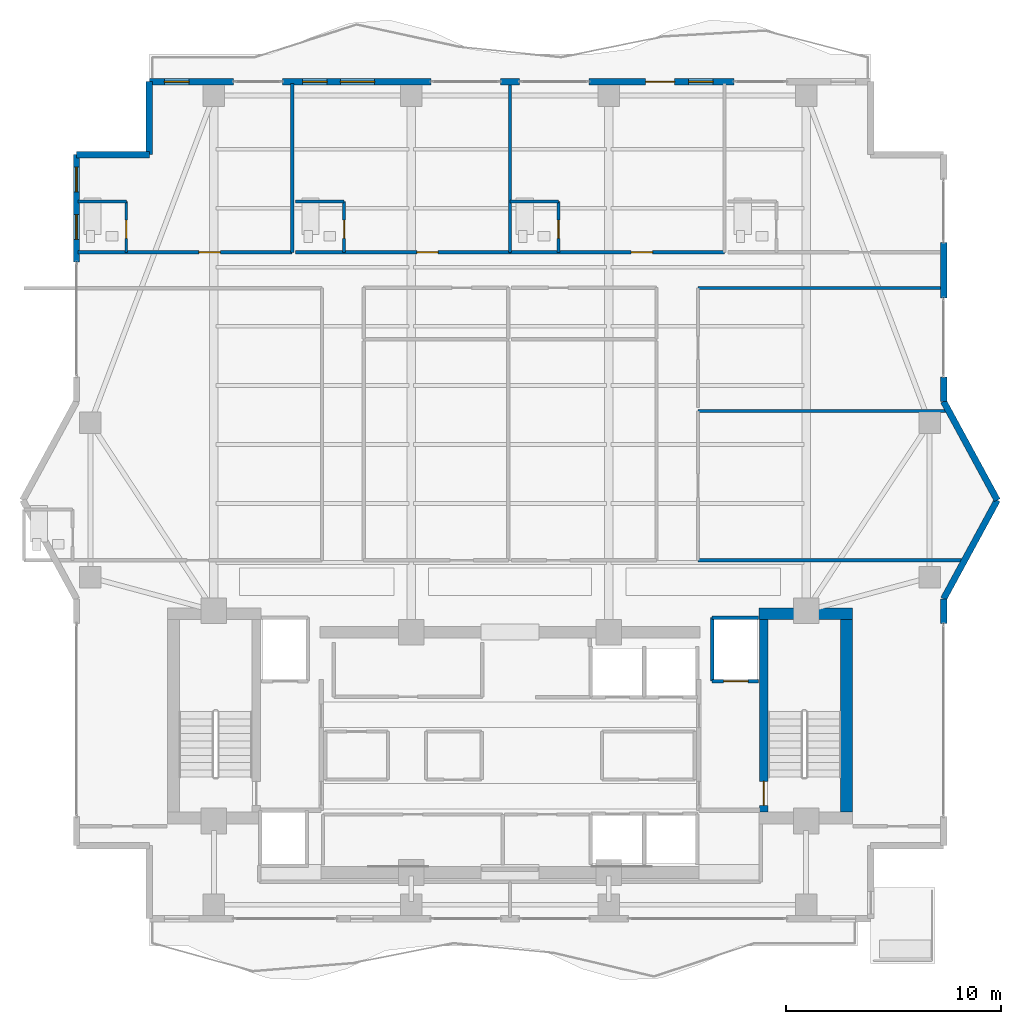
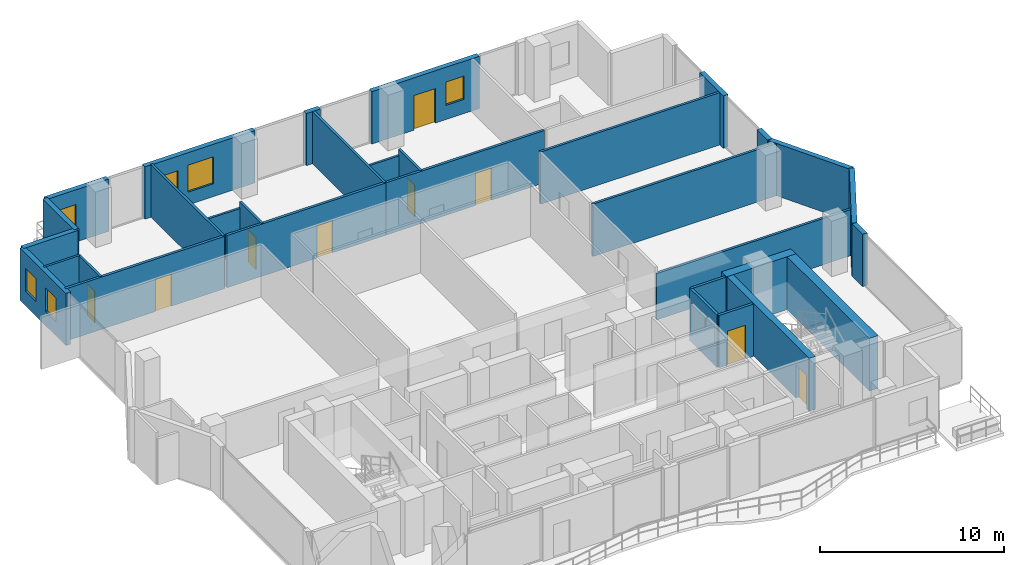
# One storey, part 21 of 25: 32 walls, 9 doors, 6 windows, 15 openings.
"""IFC4 building model written with IfcOpenShell, lengths in metres."""

from ifc_helpers import new_model, si_unit, direction, frame, frame_2d, origin, place, context, subcontext, project, spatial, rectangle, extrude, material, layer, layer_set, type_object, element, fill, save


model = new_model("IFC4")

# Units and contexts
model_context = context("Model", 3, precision=1e-05, world=origin(), true_north=direction((0.0, 1.0)))
body_context = subcontext(model_context, "Body", "Model", "MODEL_VIEW")
ifc_project = project(units=[si_unit("LENGTHUNIT", "METRE"), si_unit("AREAUNIT", "SQUARE_METRE"), si_unit("VOLUMEUNIT", "CUBIC_METRE"), si_unit("PLANEANGLEUNIT", "RADIAN"), si_unit("MASSUNIT", "GRAM", prefix="KILO")], contexts=[model_context])

# Site, building, storey
site_placement = place(None, origin())
site = spatial("IfcSite", under=ifc_project, at=site_placement, CompositionType="ELEMENT")
building_placement = place(site_placement, origin())
building = spatial("IfcBuilding", under=site, at=building_placement, Name="Zuhayl Quay Hotel", CompositionType="ELEMENT")
storey_placement = place(building_placement, frame((0.0, 0.0, 258.14990234375)))
storey = spatial("IfcBuildingStorey", under=building, at=storey_placement, Name="L65", CompositionType="ELEMENT", Elevation=258.14990234375)

# Walls
ifc_material_1 = material(Name="Concrete C50/60", Category="concrete")
ifc_layer_1 = layer(ifc_material_1, 0.550048828125, Name="Concrete C50/60", Category="concrete")
ifc_layer_set_1 = layer_set([ifc_layer_1], Name="Concrete C50/60")
wall_type_1 = type_object("IfcWallType", Name="WL_CORE_550", PredefinedType="SHEAR", material=ifc_layer_set_1)
wall_1_placement = place(storey_placement, frame((11.60009765625, 14.205078125, 0.0), z_axis=(0.0, 0.0, 1.0), x_axis=(1.0, 0.0, 0.0)))
element("IfcWall", 1, at=wall_1_placement, inside=storey, type_object=wall_type_1, Name="L65 Core Shear Wall CW_NE", PredefinedType="SHEAR", context=body_context, shape_type="SweptSolid", body=[
    extrude(rectangle(XDim=4.35986328125, YDim=0.550048828125, at=frame_2d((2.179931640625, 0.0))), origin(), (0.0, 0.0, 1.0), 3.510009765625),
])
wall_2_placement = place(storey_placement, frame((15.68505859375, 4.969970703125, 0.0), z_axis=(0.0, 0.0, 1.0), x_axis=(0.0, 1.0, 0.0)))
element("IfcWall", 2, at=wall_2_placement, inside=storey, type_object=wall_type_1, Name="L65 Core Shear Wall CW_E", PredefinedType="SHEAR", context=body_context, shape_type="SweptSolid", body=[
    extrude(rectangle(XDim=8.9599609375, YDim=0.550048828125, at=frame_2d((4.47998046875, 0.0))), origin(), (0.0, 0.0, 1.0), 3.510009765625),
])

# Wall, openings, windows
ifc_material_2 = material(Name="Precast concrete C45/55", Category="concrete")
ifc_layer_2 = layer(ifc_material_2, 0.300048828125, Name="Precast concrete C45/55", Category="concrete")
ifc_layer_set_2 = layer_set([ifc_layer_2], Name="Precast concrete C45/55")
wall_type_2 = type_object("IfcWallType", Name="WL_EXT_300", PredefinedType="STANDARD", material=ifc_layer_set_2)
wall_3_placement = place(storey_placement, frame((-20.199951171875, 30.60009765625, 0.0), z_axis=(0.0, 0.0, 1.0), x_axis=(0.0, 1.0, 0.0)))
wall_3 = element("IfcWall", 3, at=wall_3_placement, inside=storey, type_object=wall_type_2, Name="L65 Exterior Precast Wall ENV_L65_E05_EW2", PredefinedType="STANDARD", context=body_context, shape_type="SweptSolid", body=[
    extrude(rectangle(XDim=5.0, YDim=0.300048828125, at=frame_2d((2.5, 0.0))), origin(), (0.0, 0.0, 1.0), 3.47998046875),
])
opening_1_placement = place(wall_3_placement, frame((1.054931640625, 0.0, 0.949951171875)))
opening_1 = element("IfcOpeningElement", 4, at=opening_1_placement, cuts=wall_3, Name="Opening W01N", PredefinedType="OPENING", context=body_context, shape_type="SweptSolid", body=[
    extrude(rectangle(XDim=1.14990234375, YDim=1.550048828125, at=frame_2d((0.574951171875, 0.77490234375))), frame((0.0, 0.159912109375, 0.0), z_axis=(0.0, -1.0, 0.0), x_axis=(1.0, 0.0, 0.0)), (0.0, 0.0, 1.0), 0.320068359375),
])
opening_2_placement = place(wall_3_placement, frame((3.27001953125, 0.0, 0.949951171875)))
opening_2 = element("IfcOpeningElement", 5, at=opening_2_placement, cuts=wall_3, Name="Opening W01N", PredefinedType="OPENING", context=body_context, shape_type="SweptSolid", body=[
    extrude(rectangle(XDim=1.14990234375, YDim=1.550048828125, at=frame_2d((0.574951171875, 0.77490234375))), frame((0.0, 0.159912109375, 0.0), z_axis=(0.0, -1.0, 0.0), x_axis=(1.0, 0.0, 0.0)), (0.0, 0.0, 1.0), 0.320068359375),
])
ifc_material_3 = material(Name="Dark Ceramic-Fritted Solar Glass", Category="glass")
window_type_1 = type_object("IfcWindowType", Name="WN_NOTCH_1350", PartitioningType="SINGLE_PANEL", PredefinedType="WINDOW", material=ifc_material_3)
window_1_placement = place(opening_1_placement, origin())
window_1 = element("IfcWindow", 6, at=window_1_placement, inside=storey, type_object=window_type_1, Name="L65 Operable Facade Window 2-1", OverallHeight=1.550048828125, OverallWidth=1.14990234375, PartitioningType="SINGLE_PANEL", PredefinedType="WINDOW", context=body_context, shape_type="SweptSolid", body=[
    extrude(rectangle(XDim=1.14990234375, YDim=1.550048828125, at=frame_2d((0.574951171875, 0.77490234375))), frame((0.0, 0.030029296875, 0.0), z_axis=(0.0, -1.0, 0.0), x_axis=(1.0, 0.0, 0.0)), (0.0, 0.0, 1.0), 0.06005859375),
])
fill(opening_1, window_1)
window_2_placement = place(opening_2_placement, origin())
window_2 = element("IfcWindow", 7, at=window_2_placement, inside=storey, type_object=window_type_1, Name="L65 Operable Facade Window 2-2", OverallHeight=1.550048828125, OverallWidth=1.14990234375, PartitioningType="SINGLE_PANEL", PredefinedType="WINDOW", context=body_context, shape_type="SweptSolid", body=[
    extrude(rectangle(XDim=1.14990234375, YDim=1.550048828125, at=frame_2d((0.574951171875, 0.77490234375))), frame((0.0, 0.030029296875, 0.0), z_axis=(0.0, -1.0, 0.0), x_axis=(1.0, 0.0, 0.0)), (0.0, 0.0, 1.0), 0.06005859375),
])
fill(opening_2, window_2)

# Walls
for number, where, z_axis, x_axis, name in (
    (8, (-20.199951171875, 35.60009765625, 0.0), (0.0, 0.0, 1.0), (1.0, 0.0, 0.0), "L65 Exterior Precast Wall ENV_L65_EW06"),
    (9, (-16.800048828125, 35.60009765625, 0.0), (0.0, 0.0, 1.0), (0.0, 1.0, 0.0), "L65 Exterior Precast Wall ENV_L65_EW07"),
):
    element("IfcWall", number, at=place(storey_placement, frame(where, z_axis=z_axis, x_axis=x_axis)), inside=storey, type_object=wall_type_2, Name=name, PredefinedType="STANDARD", context=body_context, shape_type="SweptSolid", body=[
        extrude(rectangle(XDim=3.39990234375, YDim=0.300048828125, at=frame_2d((1.699951171875, 0.0))), origin(), (0.0, 0.0, 1.0), 3.47998046875),
    ])

# Wall, opening, window
wall_4_placement = place(storey_placement, frame((-16.800048828125, 39.0, 0.0), z_axis=(0.0, 0.0, 1.0), x_axis=(1.0, 0.0, 0.0)))
wall_4 = element("IfcWall", 10, at=wall_4_placement, inside=storey, type_object=wall_type_2, Name="L65 Exterior Precast Wall ENV_L65_N_EW1", PredefinedType="STANDARD", context=body_context, shape_type="SweptSolid", body=[
    extrude(rectangle(XDim=3.920166015625, YDim=0.300048828125, at=frame_2d((1.9599609375, 0.0))), origin(), (0.0, 0.0, 1.0), 3.47998046875),
])
opening_3_placement = place(wall_4_placement, frame((0.695068359375, 0.0, 0.949951171875)))
opening_3 = element("IfcOpeningElement", 11, at=opening_3_placement, cuts=wall_4, Name="Opening W01N", PredefinedType="OPENING", context=body_context, shape_type="SweptSolid", body=[
    extrude(rectangle(XDim=1.14990234375, YDim=1.550048828125, at=frame_2d((0.574951171875, 0.77490234375))), frame((0.0, 0.159912109375, 0.0), z_axis=(0.0, -1.0, 0.0), x_axis=(1.0, 0.0, 0.0)), (0.0, 0.0, 1.0), 0.320068359375),
])
window_3_placement = place(opening_3_placement, origin())
window_3 = element("IfcWindow", 12, at=window_3_placement, inside=storey, type_object=window_type_1, Name="L65 Operable Facade Window 1-1", OverallHeight=1.550048828125, OverallWidth=1.14990234375, PartitioningType="SINGLE_PANEL", PredefinedType="WINDOW", context=body_context, shape_type="SweptSolid", body=[
    extrude(rectangle(XDim=1.14990234375, YDim=1.550048828125, at=frame_2d((0.574951171875, 0.77490234375))), frame((0.0, 0.030029296875, 0.0), z_axis=(0.0, -1.0, 0.0), x_axis=(1.0, 0.0, 0.0)), (0.0, 0.0, 1.0), 0.06005859375),
])
fill(opening_3, window_3)

# Wall, openings, windows
wall_5_placement = place(storey_placement, frame((-10.60009765625, 39.0, 0.0), z_axis=(0.0, 0.0, 1.0), x_axis=(1.0, 0.0, 0.0)))
wall_5 = element("IfcWall", 13, at=wall_5_placement, inside=storey, type_object=wall_type_2, Name="L65 Exterior Precast Wall ENV_L65_N_EW2", PredefinedType="STANDARD", context=body_context, shape_type="SweptSolid", body=[
    extrude(rectangle(XDim=6.920166015625, YDim=0.300048828125, at=frame_2d((3.4599609375, 0.0))), origin(), (0.0, 0.0, 1.0), 3.47998046875),
])
opening_4_placement = place(wall_5_placement, frame((2.695068359375, 0.0, 0.85009765625)))
opening_4 = element("IfcOpeningElement", 14, at=opening_4_placement, cuts=wall_5, Name="Opening W01", PredefinedType="OPENING", context=body_context, shape_type="SweptSolid", body=[
    extrude(rectangle(XDim=1.60009765625, YDim=1.800048828125, at=frame_2d((0.800048828125, 0.89990234375))), frame((0.0, 0.159912109375, 0.0), z_axis=(0.0, -1.0, 0.0), x_axis=(1.0, 0.0, 0.0)), (0.0, 0.0, 1.0), 0.320068359375),
])
opening_5_placement = place(wall_5_placement, frame((0.9326171875, 0.0, 0.949951171875)))
opening_5 = element("IfcOpeningElement", 15, at=opening_5_placement, cuts=wall_5, Name="Opening W01N", PredefinedType="OPENING", context=body_context, shape_type="SweptSolid", body=[
    extrude(rectangle(XDim=1.14990234375, YDim=1.550048828125, at=frame_2d((0.574951171875, 0.77490234375))), frame((0.0, 0.159912109375, 0.0), z_axis=(0.0, -1.0, 0.0), x_axis=(1.0, 0.0, 0.0)), (0.0, 0.0, 1.0), 0.320068359375),
])
window_4_placement = place(opening_5_placement, origin())
window_4 = element("IfcWindow", 16, at=window_4_placement, inside=storey, type_object=window_type_1, Name="L65 Operable Facade Window 2-1", OverallHeight=1.550048828125, OverallWidth=1.14990234375, PartitioningType="SINGLE_PANEL", PredefinedType="WINDOW", context=body_context, shape_type="SweptSolid", body=[
    extrude(rectangle(XDim=1.14990234375, YDim=1.550048828125, at=frame_2d((0.574951171875, 0.77490234375))), frame((0.0, 0.030029296875, 0.0), z_axis=(0.0, -1.0, 0.0), x_axis=(1.0, 0.0, 0.0)), (0.0, 0.0, 1.0), 0.06005859375),
])
fill(opening_5, window_4)
window_type_2 = type_object("IfcWindowType", Name="WN_OPERABLE_1600", PartitioningType="DOUBLE_PANEL_VERTICAL", PredefinedType="WINDOW", material=ifc_material_3)
window_5_placement = place(opening_4_placement, origin())
window_5 = element("IfcWindow", 17, at=window_5_placement, inside=storey, type_object=window_type_2, Name="L65 North Operable Casement Window", OverallHeight=1.800048828125, OverallWidth=1.60009765625, PartitioningType="SINGLE_PANEL", PredefinedType="WINDOW", context=body_context, shape_type="SweptSolid", body=[
    extrude(rectangle(XDim=1.60009765625, YDim=1.800048828125, at=frame_2d((0.800048828125, 0.89990234375))), frame((0.0, 0.030029296875, 0.0), z_axis=(0.0, -1.0, 0.0), x_axis=(1.0, 0.0, 0.0)), (0.0, 0.0, 1.0), 0.06005859375),
])
fill(opening_4, window_5)

# Wall
wall_6_placement = place(storey_placement, frame((-0.449951171875, 39.0, 0.0), z_axis=(0.0, 0.0, 1.0), x_axis=(1.0, 0.0, 0.0)))
element("IfcWall", 18, at=wall_6_placement, inside=storey, type_object=wall_type_2, Name="L65 Exterior Precast Wall ENV_L65_N_EW3", PredefinedType="STANDARD", context=body_context, shape_type="SweptSolid", body=[
    extrude(rectangle(XDim=0.89990234375, YDim=0.300048828125, at=frame_2d((0.449951171875, 0.0))), origin(), (0.0, 0.0, 1.0), 3.47998046875),
])

# Wall, openings, door, window
wall_7_placement = place(storey_placement, frame((3.679931640625, 39.0, 0.0), z_axis=(0.0, 0.0, 1.0), x_axis=(1.0, 0.0, 0.0)))
wall_7 = element("IfcWall", 19, at=wall_7_placement, inside=storey, type_object=wall_type_2, Name="L65 Exterior Precast Wall ENV_L65_N_EW4", PredefinedType="STANDARD", context=body_context, shape_type="SweptSolid", body=[
    extrude(rectangle(XDim=6.760009765625, YDim=0.300048828125, at=frame_2d((3.3798828125, 0.0))), origin(), (0.0, 0.0, 1.0), 3.47998046875),
])
opening_6_placement = place(wall_7_placement, frame((2.637939453125, 0.0, 0.0)))
opening_6 = element("IfcOpeningElement", 20, at=opening_6_placement, cuts=wall_7, Name="Opening DG2", PredefinedType="OPENING", context=body_context, shape_type="SweptSolid", body=[
    extrude(rectangle(XDim=1.35009765625, YDim=2.300048828125, at=frame_2d((0.675048828125, 1.14990234375))), frame((0.0, 0.159912109375, 0.0), z_axis=(0.0, -1.0, 0.0), x_axis=(1.0, 0.0, 0.0)), (0.0, 0.0, 1.0), 0.320068359375),
])
opening_7_placement = place(wall_7_placement, frame((4.638916015625, 0.0, 0.949951171875)))
opening_7 = element("IfcOpeningElement", 21, at=opening_7_placement, cuts=wall_7, Name="Opening W01N", PredefinedType="OPENING", context=body_context, shape_type="SweptSolid", body=[
    extrude(rectangle(XDim=1.14990234375, YDim=1.550048828125, at=frame_2d((0.574951171875, 0.77490234375))), frame((0.0, 0.159912109375, 0.0), z_axis=(0.0, -1.0, 0.0), x_axis=(1.0, 0.0, 0.0)), (0.0, 0.0, 1.0), 0.320068359375),
])
ifc_material_4 = material(Name="Anodised Aluminium and Dark Solar Glass", Category="aluminium")
door_type_1 = type_object("IfcDoorType", Name="DR_EXT_TERR_1350", OperationType="NOTDEFINED", PredefinedType="DOOR", material=ifc_material_4)
door_1_placement = place(opening_6_placement, origin())
door_1 = element("IfcDoor", 22, at=door_1_placement, inside=storey, type_object=door_type_1, Name="L65 North Rippling Balcony Door", OperationType="SINGLE_SWING_LEFT", OverallHeight=2.300048828125, OverallWidth=1.35009765625, PredefinedType="DOOR", context=body_context, shape_type="SweptSolid", body=[
    extrude(rectangle(XDim=1.35009765625, YDim=2.300048828125, at=frame_2d((0.675048828125, 1.14990234375))), frame((0.0, 0.02490234375, 0.0), z_axis=(0.0, -1.0, 0.0), x_axis=(1.0, 0.0, 0.0)), (0.0, 0.0, 1.0), 0.050048828125),
])
fill(opening_6, door_1)
window_6_placement = place(opening_7_placement, origin())
window_6 = element("IfcWindow", 23, at=window_6_placement, inside=storey, type_object=window_type_1, Name="L65 Operable Facade Window 4-1", OverallHeight=1.550048828125, OverallWidth=1.14990234375, PartitioningType="SINGLE_PANEL", PredefinedType="WINDOW", context=body_context, shape_type="SweptSolid", body=[
    extrude(rectangle(XDim=1.14990234375, YDim=1.550048828125, at=frame_2d((0.574951171875, 0.77490234375))), frame((0.0, 0.030029296875, 0.0), z_axis=(0.0, -1.0, 0.0), x_axis=(1.0, 0.0, 0.0)), (0.0, 0.0, 1.0), 0.06005859375),
])
fill(opening_7, window_6)

# Walls
wall_8_placement = place(storey_placement, frame((20.199951171875, 31.5, 0.0), z_axis=(0.0, 0.0, 1.0), x_axis=(0.0, -1.0, 0.0)))
element("IfcWall", 24, at=wall_8_placement, inside=storey, type_object=wall_type_2, Name="L65 Exterior Precast Wall ENV_L65_E11_EW2", PredefinedType="STANDARD", context=body_context, shape_type="SweptSolid", body=[
    extrude(rectangle(XDim=2.570068359375, YDim=0.300048828125, at=frame_2d((1.28515625, 0.0))), origin(), (0.0, 0.0, 1.0), 3.47998046875),
])
wall_9_placement = place(storey_placement, frame((20.199951171875, 25.25, 0.0), z_axis=(0.0, 0.0, 1.0), x_axis=(0.0, -1.0, 0.0)))
element("IfcWall", 25, at=wall_9_placement, inside=storey, type_object=wall_type_2, Name="L65 Exterior Precast Wall ENV_L65_E11_EW3", PredefinedType="STANDARD", context=body_context, shape_type="SweptSolid", body=[
    extrude(rectangle(XDim=1.14990234375, YDim=0.300048828125, at=frame_2d((0.574951171875, 0.0))), origin(), (0.0, 0.0, 1.0), 3.47998046875),
])
for number, where, z_axis, x_axis, name in (
    (26, (20.199951171875, 24.10009765625, 0.0), (0.0, 0.0, 1.0), (0.477505494629, -0.878628762675, 0.0), "L65 Exterior Precast Wall ENV_L65_EW12"),
    (27, (22.699951171875, 19.5, 0.0), (0.0, 0.0, 1.0), (-0.477505494629, -0.878628762675, 0.0), "L65 Exterior Precast Wall ENV_L65_EW13"),
):
    element("IfcWall", number, at=place(storey_placement, frame(where, z_axis=z_axis, x_axis=x_axis)), inside=storey, type_object=wall_type_2, Name=name, PredefinedType="STANDARD", context=body_context, shape_type="SweptSolid", body=[
        extrude(rectangle(XDim=5.235595703125, YDim=0.300048828125, at=frame_2d((2.61767578125, 0.0))), origin(), (0.0, 0.0, 1.0), 3.47998046875),
    ])
wall_10_placement = place(storey_placement, frame((20.199951171875, 14.89990234375, 0.0), z_axis=(0.0, 0.0, 1.0), x_axis=(0.0, -1.0, 0.0)))
element("IfcWall", 28, at=wall_10_placement, inside=storey, type_object=wall_type_2, Name="L65 Exterior Precast Wall ENV_L65_E14_EW1", PredefinedType="STANDARD", context=body_context, shape_type="SweptSolid", body=[
    extrude(rectangle(XDim=1.14990234375, YDim=0.300048828125, at=frame_2d((0.574951171875, 0.0))), origin(), (0.0, 0.0, 1.0), 3.47998046875),
])
ifc_material_5 = material(Name="Acoustic Gypsum Partition STC-58")
ifc_layer_3 = layer(ifc_material_5, 0.14990234375, Name="Acoustic Gypsum Partition STC-58")
ifc_layer_set_3 = layer_set([ifc_layer_3], Name="Acoustic Gypsum Partition STC-58")
wall_type_3 = type_object("IfcWallType", Name="WL_PART_150", PredefinedType="PARTITIONING", material=ifc_layer_set_3)
for number, where, z_axis, x_axis, name in (
    (29, (-10.14990234375, 31.050048828125, 0.0), (0.0, 0.0, 1.0), (0.0, 1.0, 0.0), "L65 Partition IW_L65_NU01A_E"),
    (30, (0.0, 31.050048828125, 0.0), (0.0, 0.0, 1.0), (0.0, 1.0, 0.0), "L65 Partition IW_L65_NU01B_E"),
):
    element("IfcWall", number, at=place(storey_placement, frame(where, z_axis=z_axis, x_axis=x_axis)), inside=storey, type_object=wall_type_3, Name=name, PredefinedType="PARTITIONING", context=body_context, shape_type="SweptSolid", body=[
        extrude(rectangle(XDim=7.869873046875, YDim=0.14990234375, at=frame_2d((3.93505859375, 0.0))), origin(), (0.0, 0.0, 1.0), 3.47998046875),
    ])
wall_11_placement = place(storey_placement, frame((8.760009765625, 16.699951171875, 0.0), z_axis=(0.0, 0.0, 1.0), x_axis=(1.0, 0.0, 0.0)))
element("IfcWall", 31, at=wall_11_placement, inside=storey, type_object=wall_type_3, Name="L65 Partition IW_L65_Z4_E1_S", PredefinedType="PARTITIONING", context=body_context, shape_type="SweptSolid", body=[
    extrude(rectangle(XDim=12.3583984375, YDim=0.14990234375, at=frame_2d((6.17919921875, 0.0))), origin(), (0.0, 0.0, 1.0), 3.076171875),
])
wall_12_placement = place(storey_placement, frame((8.760009765625, 23.64990234375, 0.0), z_axis=(0.0, 0.0, 1.0), x_axis=(1.0, 0.0, 0.0)))
element("IfcWall", 32, at=wall_12_placement, inside=storey, type_object=wall_type_3, Name="L65 Partition IW_L65_Z4_E1_N", PredefinedType="PARTITIONING", context=body_context, shape_type="SweptSolid", body=[
    extrude(rectangle(XDim=11.62451171875, YDim=0.14990234375, at=frame_2d((5.812255859375, 0.0))), origin(), (0.0, 0.0, 1.0), 3.47998046875),
])
wall_13_placement = place(storey_placement, frame((8.760009765625, 29.3798828125, 0.0), z_axis=(0.0, 0.0, 1.0), x_axis=(1.0, 0.0, 0.0)))
element("IfcWall", 33, at=wall_13_placement, inside=storey, type_object=wall_type_3, Name="L65 Partition IW_L65_Z4_E2_N", PredefinedType="PARTITIONING", context=body_context, shape_type="SweptSolid", body=[
    extrude(rectangle(XDim=11.3798828125, YDim=0.14990234375, at=frame_2d((5.68994140625, 0.0))), origin(), (0.0, 0.0, 1.0), 3.47998046875),
])

# Wall, opening, door
ifc_layer_4 = layer(ifc_material_5, 0.159912109375, Name="Acoustic Gypsum Partition STC-58")
ifc_layer_set_4 = layer_set([ifc_layer_4], Name="Acoustic Gypsum Partition STC-58")
wall_type_4 = type_object("IfcWallType", Name="WL_PART_CORR_160", PredefinedType="PARTITIONING", material=ifc_layer_set_4)
wall_14_placement = place(storey_placement, frame((-20.139892578125, 31.050048828125, 0.0), z_axis=(0.0, 0.0, 1.0), x_axis=(1.0, 0.0, 0.0)))
wall_14 = element("IfcWall", 34, at=wall_14_placement, inside=storey, type_object=wall_type_4, Name="L65 Partition IW_L65_NU01A_COR", PredefinedType="PARTITIONING", context=body_context, shape_type="SweptSolid", body=[
    extrude(rectangle(XDim=9.989990234375, YDim=0.159912109375, at=frame_2d((4.9951171875, 0.0))), origin(), (0.0, 0.0, 1.0), 3.47998046875),
])
opening_8_placement = place(wall_14_placement, frame((5.64501953125, 0.0, 0.0)))
opening_8 = element("IfcOpeningElement", 35, at=opening_8_placement, cuts=wall_14, Name="Opening D03L", PredefinedType="OPENING", context=body_context, shape_type="SweptSolid", body=[
    extrude(rectangle(XDim=1.0, YDim=2.14990234375, at=frame_2d((0.5, 1.074951171875))), frame((0.0, 0.08984375, 0.0), z_axis=(0.0, -1.0, 0.0), x_axis=(1.0, 0.0, 0.0)), (0.0, 0.0, 1.0), 0.179931640625),
])
ifc_material_6 = material(Name="Solid Walnut Acoustic Fire Door")
door_type_2 = type_object("IfcDoorType", Name="DR_SUITE_1000", OperationType="NOTDEFINED", PredefinedType="DOOR", material=ifc_material_6)
door_2_placement = place(opening_8_placement, origin())
door_2 = element("IfcDoor", 36, at=door_2_placement, inside=storey, type_object=door_type_2, Name="L65 Royal Gulf Suite L65-01A Entrance Door", OperationType="SINGLE_SWING_LEFT", OverallHeight=2.14990234375, OverallWidth=1.0, PredefinedType="DOOR", context=body_context, shape_type="SweptSolid", body=[
    extrude(rectangle(XDim=1.0, YDim=2.14990234375, at=frame_2d((0.5, 1.074951171875))), frame((0.0, 0.02490234375, 0.0), z_axis=(0.0, -1.0, 0.0), x_axis=(1.0, 0.0, 0.0)), (0.0, 0.0, 1.0), 0.050048828125),
])
fill(opening_8, door_2)

wall_15_placement = place(storey_placement, frame((-9.989990234375, 31.050048828125, 0.0), z_axis=(0.0, 0.0, 1.0), x_axis=(1.0, 0.0, 0.0)))
wall_15 = element("IfcWall", 37, at=wall_15_placement, inside=storey, type_object=wall_type_4, Name="L65 Partition IW_L65_NU01B_COR", PredefinedType="PARTITIONING", context=body_context, shape_type="SweptSolid", body=[
    extrude(rectangle(XDim=9.989990234375, YDim=0.159912109375, at=frame_2d((4.9951171875, 0.0))), origin(), (0.0, 0.0, 1.0), 3.47998046875),
])
opening_9_placement = place(wall_15_placement, frame((5.64501953125, 0.0, 0.0)))
opening_9 = element("IfcOpeningElement", 38, at=opening_9_placement, cuts=wall_15, Name="Opening D03L", PredefinedType="OPENING", context=body_context, shape_type="SweptSolid", body=[
    extrude(rectangle(XDim=1.0, YDim=2.14990234375, at=frame_2d((0.5, 1.074951171875))), frame((0.0, 0.08984375, 0.0), z_axis=(0.0, -1.0, 0.0), x_axis=(1.0, 0.0, 0.0)), (0.0, 0.0, 1.0), 0.179931640625),
])
door_3_placement = place(opening_9_placement, origin())
door_3 = element("IfcDoor", 39, at=door_3_placement, inside=storey, type_object=door_type_2, Name="L65 Royal Gulf Suite L65-01B Entrance Door", OperationType="SINGLE_SWING_LEFT", OverallHeight=2.14990234375, OverallWidth=1.0, PredefinedType="DOOR", context=body_context, shape_type="SweptSolid", body=[
    extrude(rectangle(XDim=1.0, YDim=2.14990234375, at=frame_2d((0.5, 1.074951171875))), frame((0.0, 0.02490234375, 0.0), z_axis=(0.0, -1.0, 0.0), x_axis=(1.0, 0.0, 0.0)), (0.0, 0.0, 1.0), 0.050048828125),
])
fill(opening_9, door_3)

wall_16_placement = place(storey_placement, frame((0.0, 31.050048828125, 0.0), z_axis=(0.0, 0.0, 1.0), x_axis=(1.0, 0.0, 0.0)))
wall_16 = element("IfcWall", 40, at=wall_16_placement, inside=storey, type_object=wall_type_4, Name="L65 Partition IW_L65_NU02A_COR", PredefinedType="PARTITIONING", context=body_context, shape_type="SweptSolid", body=[
    extrude(rectangle(XDim=9.989990234375, YDim=0.159912109375, at=frame_2d((4.9951171875, 0.0))), origin(), (0.0, 0.0, 1.0), 3.47998046875),
])
opening_10_placement = place(wall_16_placement, frame((5.64501953125, 0.0, 0.0)))
opening_10 = element("IfcOpeningElement", 41, at=opening_10_placement, cuts=wall_16, Name="Opening D03L", PredefinedType="OPENING", context=body_context, shape_type="SweptSolid", body=[
    extrude(rectangle(XDim=1.0, YDim=2.14990234375, at=frame_2d((0.5, 1.074951171875))), frame((0.0, 0.08984375, 0.0), z_axis=(0.0, -1.0, 0.0), x_axis=(1.0, 0.0, 0.0)), (0.0, 0.0, 1.0), 0.179931640625),
])
door_4_placement = place(opening_10_placement, origin())
door_4 = element("IfcDoor", 42, at=door_4_placement, inside=storey, type_object=door_type_2, Name="L65 Royal Gulf Suite L65-02A Entrance Door", OperationType="SINGLE_SWING_LEFT", OverallHeight=2.14990234375, OverallWidth=1.0, PredefinedType="DOOR", context=body_context, shape_type="SweptSolid", body=[
    extrude(rectangle(XDim=1.0, YDim=2.14990234375, at=frame_2d((0.5, 1.074951171875))), frame((0.0, 0.02490234375, 0.0), z_axis=(0.0, -1.0, 0.0), x_axis=(1.0, 0.0, 0.0)), (0.0, 0.0, 1.0), 0.050048828125),
])
fill(opening_10, door_4)

ifc_material_7 = material(Name="Moisture-Resistant Sanitarychase Gypsum")
ifc_layer_5 = layer(ifc_material_7, 0.135009765625, Name="Moisture-Resistant Sanitarychase Gypsum")
ifc_layer_set_5 = layer_set([ifc_layer_5], Name="Moisture-Resistant Sanitarychase Gypsum")
wall_type_5 = type_object("IfcWallType", Name="WL_PART_PLUMB_150", PredefinedType="PLUMBINGWALL", material=ifc_layer_set_5)
wall_17_placement = place(storey_placement, frame((-17.8798828125, 31.050048828125, 0.0), z_axis=(0.0, 0.0, 1.0), x_axis=(0.0, 1.0, 0.0)))
wall_17 = element("IfcWall", 43, at=wall_17_placement, inside=storey, type_object=wall_type_5, Name="L65 Partition IW_L65_NU01A_BE", PredefinedType="PLUMBINGWALL", context=body_context, shape_type="SweptSolid", body=[
    extrude(rectangle(XDim=2.35986328125, YDim=0.135009765625, at=frame_2d((1.179931640625, 0.0))), origin(), (0.0, 0.0, 1.0), 3.47998046875),
])
opening_11_placement = place(wall_17_placement, frame((0.64990234375, 0.0, 0.0)))
opening_11 = element("IfcOpeningElement", 44, at=opening_11_placement, cuts=wall_17, Name="Opening D04", PredefinedType="OPENING", context=body_context, shape_type="SweptSolid", body=[
    extrude(rectangle(XDim=0.85009765625, YDim=2.10009765625, at=frame_2d((0.425048828125, 1.050048828125))), frame((0.0, 0.077392578125, 0.0), z_axis=(0.0, -1.0, 0.0), x_axis=(1.0, 0.0, 0.0)), (0.0, 0.0, 1.0), 0.155029296875),
])
ifc_material_8 = material(Name="Moisture-Resistant Walnut Veneer")
door_type_3 = type_object("IfcDoorType", Name="DR_BATH_850", OperationType="NOTDEFINED", PredefinedType="DOOR", material=ifc_material_8)
door_5_placement = place(opening_11_placement, origin())
door_5 = element("IfcDoor", 45, at=door_5_placement, inside=storey, type_object=door_type_3, Name="L65 Royal Gulf Suite L65-01A En-Suite Door", OperationType="SINGLE_SWING_RIGHT", OverallHeight=2.10009765625, OverallWidth=0.85009765625, PredefinedType="DOOR", context=body_context, shape_type="SweptSolid", body=[
    extrude(rectangle(XDim=0.85009765625, YDim=2.10009765625, at=frame_2d((0.425048828125, 1.050048828125))), frame((0.0, 0.02490234375, 0.0), z_axis=(0.0, -1.0, 0.0), x_axis=(1.0, 0.0, 0.0)), (0.0, 0.0, 1.0), 0.050048828125),
])
fill(opening_11, door_5)

wall_18_placement = place(storey_placement, frame((-7.72998046875, 31.050048828125, 0.0), z_axis=(0.0, 0.0, 1.0), x_axis=(0.0, 1.0, 0.0)))
wall_18 = element("IfcWall", 46, at=wall_18_placement, inside=storey, type_object=wall_type_5, Name="L65 Partition IW_L65_NU01B_BE", PredefinedType="PLUMBINGWALL", context=body_context, shape_type="SweptSolid", body=[
    extrude(rectangle(XDim=2.35986328125, YDim=0.135009765625, at=frame_2d((1.179931640625, 0.0))), origin(), (0.0, 0.0, 1.0), 3.47998046875),
])
opening_12_placement = place(wall_18_placement, frame((0.64990234375, 0.0, 0.0)))
opening_12 = element("IfcOpeningElement", 47, at=opening_12_placement, cuts=wall_18, Name="Opening D04", PredefinedType="OPENING", context=body_context, shape_type="SweptSolid", body=[
    extrude(rectangle(XDim=0.85009765625, YDim=2.10009765625, at=frame_2d((0.425048828125, 1.050048828125))), frame((0.0, 0.077392578125, 0.0), z_axis=(0.0, -1.0, 0.0), x_axis=(1.0, 0.0, 0.0)), (0.0, 0.0, 1.0), 0.155029296875),
])
door_6_placement = place(opening_12_placement, origin())
door_6 = element("IfcDoor", 48, at=door_6_placement, inside=storey, type_object=door_type_3, Name="L65 Royal Gulf Suite L65-01B En-Suite Door", OperationType="SINGLE_SWING_RIGHT", OverallHeight=2.10009765625, OverallWidth=0.85009765625, PredefinedType="DOOR", context=body_context, shape_type="SweptSolid", body=[
    extrude(rectangle(XDim=0.85009765625, YDim=2.10009765625, at=frame_2d((0.425048828125, 1.050048828125))), frame((0.0, 0.02490234375, 0.0), z_axis=(0.0, -1.0, 0.0), x_axis=(1.0, 0.0, 0.0)), (0.0, 0.0, 1.0), 0.050048828125),
])
fill(opening_12, door_6)

wall_19_placement = place(storey_placement, frame((2.260009765625, 31.050048828125, 0.0), z_axis=(0.0, 0.0, 1.0), x_axis=(0.0, 1.0, 0.0)))
wall_19 = element("IfcWall", 49, at=wall_19_placement, inside=storey, type_object=wall_type_5, Name="L65 Partition IW_L65_NU02A_BE", PredefinedType="PLUMBINGWALL", context=body_context, shape_type="SweptSolid", body=[
    extrude(rectangle(XDim=2.35986328125, YDim=0.135009765625, at=frame_2d((1.179931640625, 0.0))), origin(), (0.0, 0.0, 1.0), 3.47998046875),
])
opening_13_placement = place(wall_19_placement, frame((0.64990234375, 0.0, 0.0)))
opening_13 = element("IfcOpeningElement", 50, at=opening_13_placement, cuts=wall_19, Name="Opening D04", PredefinedType="OPENING", context=body_context, shape_type="SweptSolid", body=[
    extrude(rectangle(XDim=0.85009765625, YDim=2.10009765625, at=frame_2d((0.425048828125, 1.050048828125))), frame((0.0, 0.077392578125, 0.0), z_axis=(0.0, -1.0, 0.0), x_axis=(1.0, 0.0, 0.0)), (0.0, 0.0, 1.0), 0.155029296875),
])
door_7_placement = place(opening_13_placement, origin())
door_7 = element("IfcDoor", 51, at=door_7_placement, inside=storey, type_object=door_type_3, Name="L65 Royal Gulf Suite L65-02A En-Suite Door", OperationType="SINGLE_SWING_RIGHT", OverallHeight=2.10009765625, OverallWidth=0.85009765625, PredefinedType="DOOR", context=body_context, shape_type="SweptSolid", body=[
    extrude(rectangle(XDim=0.85009765625, YDim=2.10009765625, at=frame_2d((0.425048828125, 1.050048828125))), frame((0.0, 0.02490234375, 0.0), z_axis=(0.0, -1.0, 0.0), x_axis=(1.0, 0.0, 0.0)), (0.0, 0.0, 1.0), 0.050048828125),
])
fill(opening_13, door_7)

# Walls
wall_20_placement = place(storey_placement, frame((-20.139892578125, 33.409912109375, 0.0), z_axis=(0.0, 0.0, 1.0), x_axis=(1.0, 0.0, 0.0)))
element("IfcWall", 52, at=wall_20_placement, inside=storey, type_object=wall_type_5, Name="L65 Partition IW_L65_NU01A_BN", PredefinedType="PLUMBINGWALL", context=body_context, shape_type="SweptSolid", body=[
    extrude(rectangle(XDim=2.260009765625, YDim=0.135009765625, at=frame_2d((1.1298828125, 0.0))), origin(), (0.0, 0.0, 1.0), 3.47998046875),
])
for number, where, z_axis, x_axis, name in (
    (53, (-9.989990234375, 33.409912109375, 0.0), (0.0, 0.0, 1.0), (1.0, 0.0, 0.0), "L65 Partition IW_L65_NU01B_BN"),
    (54, (0.0, 33.409912109375, 0.0), (0.0, 0.0, 1.0), (1.0, 0.0, 0.0), "L65 Partition IW_L65_NU02A_BN"),
):
    element("IfcWall", number, at=place(storey_placement, frame(where, z_axis=z_axis, x_axis=x_axis)), inside=storey, type_object=wall_type_5, Name=name, PredefinedType="PLUMBINGWALL", context=body_context, shape_type="SweptSolid", body=[
        extrude(rectangle(XDim=2.260009765625, YDim=0.135009765625, at=frame_2d((1.1298828125, 0.0))), origin(), (0.0, 0.0, 1.0), 3.076171875),
    ])

# Wall, opening, door
ifc_material_9 = material(Name="Gypsum Fireboard Assembly EI-90")
ifc_layer_6 = layer(ifc_material_9, 0.1650390625, Name="Gypsum Fireboard Assembly EI-90")
ifc_layer_set_6 = layer_set([ifc_layer_6], Name="Gypsum Fireboard Assembly EI-90")
wall_type_6 = type_object("IfcWallType", Name="WL_PART_SHAFT_160", PredefinedType="PARTITIONING", material=ifc_layer_set_6)
wall_21_placement = place(storey_placement, frame((9.419921875, 11.070068359375, 0.0), z_axis=(0.0, 0.0, 1.0), x_axis=(1.0, 0.0, 0.0)))
wall_21 = element("IfcWall", 55, at=wall_21_placement, inside=storey, type_object=wall_type_6, Name="L65 Partition IW_L65_SH_FL2_F", PredefinedType="PARTITIONING", context=body_context, shape_type="SweptSolid", body=[
    extrude(rectangle(XDim=2.16015625, YDim=0.1650390625, at=frame_2d((1.080078125, 0.0))), origin(), (0.0, 0.0, 1.0), 3.47998046875),
])
opening_14_placement = place(wall_21_placement, frame((0.530029296875, 0.0, 0.0)))
opening_14 = element("IfcOpeningElement", 56, at=opening_14_placement, cuts=wall_21, Name="Opening LD2", PredefinedType="OPENING", context=body_context, shape_type="SweptSolid", body=[
    extrude(rectangle(XDim=1.14990234375, YDim=2.25, at=frame_2d((0.574951171875, 1.125))), frame((0.0, 0.092529296875, 0.0), z_axis=(0.0, -1.0, 0.0), x_axis=(1.0, 0.0, 0.0)), (0.0, 0.0, 1.0), 0.18505859375),
])
ifc_material_10 = material(Name="Brushed Stainless Steel", Category="steel")
door_type_4 = type_object("IfcDoorType", Name="DR_LIFT_FF_1100", OperationType="SLIDING_TO_LEFT", PredefinedType="DOOR", material=ifc_material_10)
door_8_placement = place(opening_14_placement, origin())
door_8 = element("IfcDoor", 57, at=door_8_placement, inside=storey, type_object=door_type_4, Name="L65 Lift FL2 Sliding Landing Door", OperationType="SLIDING_TO_LEFT", OverallHeight=2.25, OverallWidth=1.14990234375, PredefinedType="DOOR", context=body_context, shape_type="SweptSolid", body=[
    extrude(rectangle(XDim=1.14990234375, YDim=2.25, at=frame_2d((0.574951171875, 1.125))), frame((0.0, 0.02490234375, 0.0), z_axis=(0.0, -1.0, 0.0), x_axis=(1.0, 0.0, 0.0)), (0.0, 0.0, 1.0), 0.050048828125),
])
fill(opening_14, door_8)

# Walls
wall_22_placement = place(storey_placement, frame((9.419921875, 11.070068359375, 0.0), z_axis=(0.0, 0.0, 1.0), x_axis=(0.0, 1.0, 0.0)))
element("IfcWall", 58, at=wall_22_placement, inside=storey, type_object=wall_type_6, Name="L65 Partition IW_L65_SH_FL2_W", PredefinedType="PARTITIONING", context=body_context, shape_type="SweptSolid", body=[
    extrude(rectangle(XDim=2.9599609375, YDim=0.1650390625, at=frame_2d((1.47998046875, 0.0))), origin(), (0.0, 0.0, 1.0), 3.47998046875),
])
wall_23_placement = place(storey_placement, frame((9.419921875, 14.030029296875, 0.0), z_axis=(0.0, 0.0, 1.0), x_axis=(1.0, 0.0, 0.0)))
element("IfcWall", 59, at=wall_23_placement, inside=storey, type_object=wall_type_6, Name="L65 Partition IW_L65_SH_FL2_B", PredefinedType="PARTITIONING", context=body_context, shape_type="SweptSolid", body=[
    extrude(rectangle(XDim=2.16015625, YDim=0.1650390625, at=frame_2d((1.080078125, 0.0))), origin(), (0.0, 0.0, 1.0), 3.47998046875),
])

# Wall, opening, door
ifc_material_11 = material(Name="Concrete C60/75", Category="concrete")
ifc_layer_7 = layer(ifc_material_11, 0.39990234375, Name="Concrete C60/75", Category="concrete")
ifc_layer_set_7 = layer_set([ifc_layer_7], Name="Concrete C60/75")
wall_type_7 = type_object("IfcWallType", Name="WL_STAIR_400", PredefinedType="SHEAR", material=ifc_layer_set_7)
wall_24_placement = place(storey_placement, frame((11.820068359375, 13.929931640625, 0.0), z_axis=(0.0, 0.0, 1.0), x_axis=(0.0, -1.0, 0.0)))
wall_24 = element("IfcWall", 60, at=wall_24_placement, inside=storey, type_object=wall_type_7, Name="L65 Core Shear Wall SW_ST2", PredefinedType="SHEAR", context=body_context, shape_type="SweptSolid", body=[
    extrude(rectangle(XDim=8.9599609375, YDim=0.39990234375, at=frame_2d((4.47998046875, 0.0))), origin(), (0.0, 0.0, 1.0), 3.510009765625),
])
opening_15_placement = place(wall_24_placement, frame((7.530029296875, 0.0, 0.0)))
opening_15 = element("IfcOpeningElement", 61, at=opening_15_placement, cuts=wall_24, Name="Opening D01", PredefinedType="OPENING", context=body_context, shape_type="SweptSolid", body=[
    extrude(rectangle(XDim=1.1201171875, YDim=2.219970703125, at=frame_2d((0.56005859375, 1.10986328125))), frame((0.0, 0.2099609375, 0.0), z_axis=(0.0, -1.0, 0.0), x_axis=(1.0, 0.0, 0.0)), (0.0, 0.0, 1.0), 0.419921875),
])
ifc_material_12 = material(Name="Steel ASTM A992 Grade 50", Category="steel")
door_type_5 = type_object("IfcDoorType", Name="DR_STAIR_90_1100", OperationType="NOTDEFINED", PredefinedType="DOOR", material=ifc_material_12)
door_9_placement = place(opening_15_placement, origin())
door_9 = element("IfcDoor", 62, at=door_9_placement, inside=storey, type_object=door_type_5, Name="L65 Smokeproof Exit Stair ST2 Door", OperationType="SINGLE_SWING_RIGHT", OverallHeight=2.219970703125, OverallWidth=1.1201171875, PredefinedType="DOOR", context=body_context, shape_type="SweptSolid", body=[
    extrude(rectangle(XDim=1.1201171875, YDim=2.219970703125, at=frame_2d((0.56005859375, 1.10986328125))), frame((0.0, 0.02490234375, 0.0), z_axis=(0.0, -1.0, 0.0), x_axis=(1.0, 0.0, 0.0)), (0.0, 0.0, 1.0), 0.050048828125),
])
fill(opening_15, door_9)

save(model, "model.ifc")
